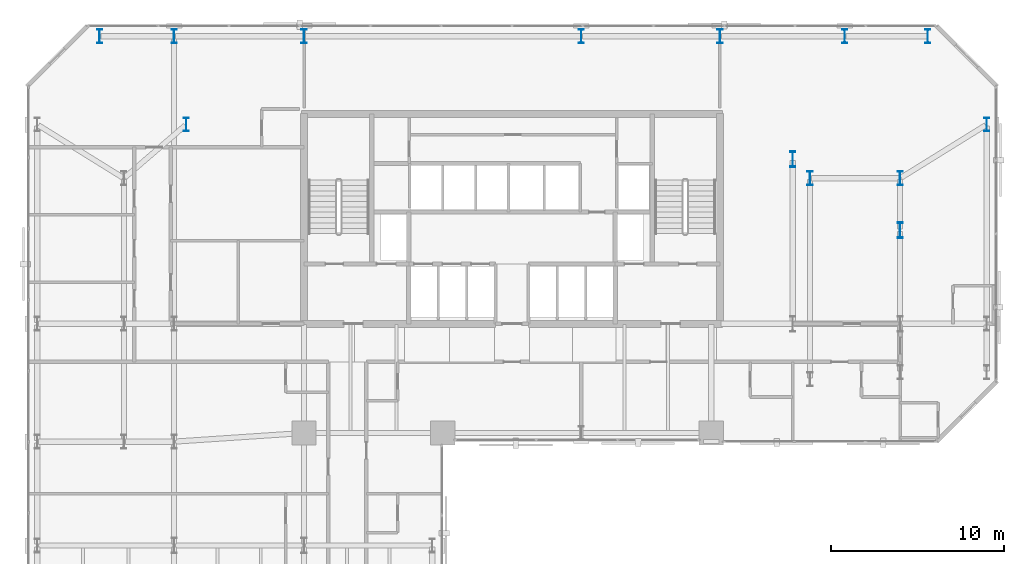
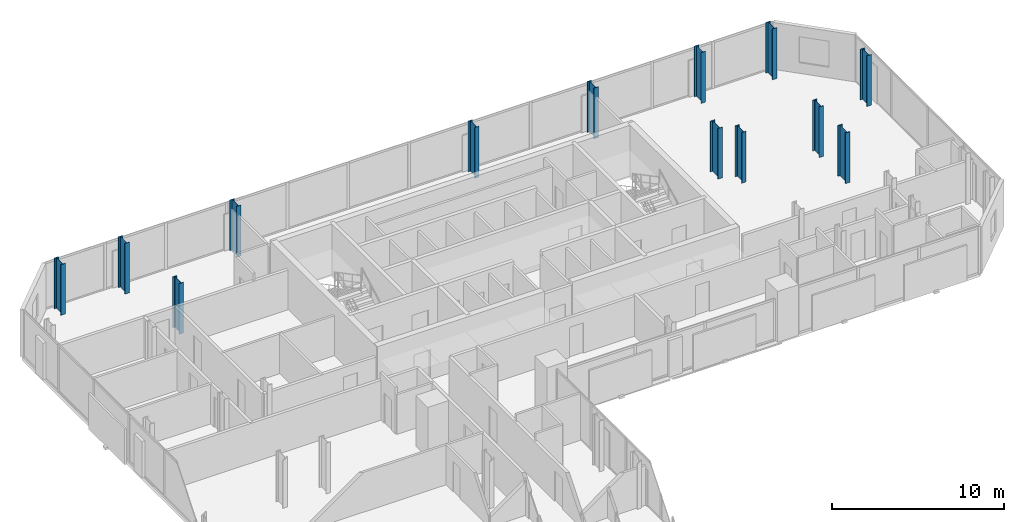
# One storey, part 2 of 33: 13 columns.
"""IFC4 building model written with IfcOpenShell, lengths in metres."""

import ifcopenshell
import ifcopenshell.guid

model = None  # the IFC model being written
_history = None  # IfcOwnerHistory: only IFC2X3 demands one
_inside = {}  # id of a spatial element -> (the spatial element, [elements in it])
_under = {}  # id of a project, library or spatial element -> (it, [spatial elements below it])
_declared = {}  # id of a project -> (the project, [libraries it declares])
_typed = {}  # id of a type object -> (the type object, [elements of that type])
_made_of = {}  # id of a material, layer set ... -> (it, [elements and type objects made of it])


def new_model(schema):
    """Start an empty IFC model of exactly this schema.

    Asked for "IFC4X3", IfcOpenShell would pick the latest addendum, in which some entities
    have other attributes; the version numbers below select the first issue.
    IFC2X3 requires an IfcOwnerHistory on every rooted entity: one is made here for all.
    """
    global model, _history
    if schema == "IFC4X3":
        model = ifcopenshell.file(schema_version=(4, 3, 0, 0))
    else:
        model = ifcopenshell.file(schema=schema)
    _inside.clear()
    _under.clear()
    _declared.clear()
    _typed.clear()
    _made_of.clear()
    _history = None
    if model.schema == "IFC2X3":
        org = make("IfcOrganization", Name="unknown")
        user = make(
            "IfcPersonAndOrganization",
            ThePerson=make("IfcPerson", FamilyName="unknown"),
            TheOrganization=org,
        )
        app = make(
            "IfcApplication",
            ApplicationDeveloper=org,
            Version="unknown",
            ApplicationFullName="unknown",
            ApplicationIdentifier="unknown",
        )
        _history = make(
            "IfcOwnerHistory",
            OwningUser=user,
            OwningApplication=app,
            ChangeAction="ADDED",
            CreationDate=0,
        )
    return model


def make(cls, **values):
    """One entity of the class cls with the attributes given. An attribute that is None is left unset."""
    return model.create_entity(
        cls, **{name: value for name, value in values.items() if value is not None}
    )


def rooted(cls, **values):
    """An entity with a GlobalId (a new one), such as an element, a storey or a relation."""
    return make(cls, GlobalId=ifcopenshell.guid.new(), OwnerHistory=_history, **values)


def si_unit(unit_type, name, prefix=None):
    """IfcSIUnit, for example si_unit("LENGTHUNIT", "METRE", prefix="MILLI")."""
    return make("IfcSIUnit", UnitType=unit_type, Prefix=prefix, Name=name)


def assignment(units):
    """IfcUnitAssignment: the units of a project."""
    return None if units is None else make("IfcUnitAssignment", Units=units)


def point(xyz):
    """IfcCartesianPoint."""
    return None if xyz is None else make("IfcCartesianPoint", Coordinates=xyz)


def direction(xyz):
    """IfcDirection."""
    return None if xyz is None else make("IfcDirection", DirectionRatios=xyz)


def frame(location, z_axis=None, x_axis=None):
    """IfcAxis2Placement3D, a coordinate frame: its origin and axes. An axis left out is left unset."""
    return make(
        "IfcAxis2Placement3D",
        Location=point(location),
        Axis=direction(z_axis),
        RefDirection=direction(x_axis),
    )


def frame_2d(location, x_axis=None):
    """IfcAxis2Placement2D, a coordinate frame in the plane: its origin and x axis."""
    return make(
        "IfcAxis2Placement2D", Location=point(location), RefDirection=direction(x_axis)
    )


def origin():
    """The frame at (0, 0, 0) with its axes left unset."""
    return frame((0.0, 0.0, 0.0))


def origin_2d():
    """The frame at (0, 0) in the plane with its x axis left unset."""
    return frame_2d((0.0, 0.0))


def place(relative_to, where):
    """IfcLocalPlacement: puts the frame where relative to a parent placement (None: the world)."""
    return make(
        "IfcLocalPlacement", PlacementRelTo=relative_to, RelativePlacement=where
    )


def context(
    kind, dimensions, precision=None, world=None, true_north=None, identifier=None
):
    """IfcGeometricRepresentationContext, for example the 3D "Model" context."""
    return make(
        "IfcGeometricRepresentationContext",
        ContextIdentifier=identifier,
        ContextType=kind,
        CoordinateSpaceDimension=dimensions,
        Precision=precision,
        WorldCoordinateSystem=world,
        TrueNorth=true_north,
    )


def subcontext(parent, identifier, kind, view, scale=None):
    """IfcGeometricRepresentationSubContext, for example "Body" below "Model"."""
    return make(
        "IfcGeometricRepresentationSubContext",
        ContextIdentifier=identifier,
        ContextType=kind,
        ParentContext=parent,
        TargetScale=scale,
        TargetView=view,
    )


def project(units=None, contexts=None):
    """IfcProject with its units and contexts."""
    return rooted(
        "IfcProject",
        Name="project",
        RepresentationContexts=contexts,
        UnitsInContext=assignment(units),
    )


def spatial(cls, under=None, at=None, **own):
    """A site, building, storey or space (cls), placed at a placement, below another one or the project."""
    s = rooted(cls, ObjectPlacement=at, **own)
    if under is not None:
        _under.setdefault(under.id(), (under, []))[1].append(s)
    return s


def profile(cls, at=None, kind="AREA", **sizes):
    """A parametric profile (cls). Its sizes go by their IFC names, for example OverallWidth=200.0."""
    return make(cls, ProfileType=kind, Position=at, **sizes)


def i_section(**sizes):
    """IfcIShapeProfileDef."""
    return profile("IfcIShapeProfileDef", **sizes)


def extrude(swept, where, along, depth):
    """IfcExtrudedAreaSolid: the profile swept, set in the frame where, extruded along a direction by depth."""
    return make(
        "IfcExtrudedAreaSolid",
        SweptArea=swept,
        Position=where,
        ExtrudedDirection=direction(along),
        Depth=depth,
    )


def shape(context_of_items, identifier, shape_type, items):
    """IfcShapeRepresentation: the items that make up one representation, for example the "Body"."""
    return make(
        "IfcShapeRepresentation",
        ContextOfItems=context_of_items,
        RepresentationIdentifier=identifier,
        RepresentationType=shape_type,
        Items=items,
    )


def material(Name=None, Category=None):
    """IfcMaterial."""
    return make("IfcMaterial", Name=Name, Category=Category)


def material_profile(
    of_material, cross_section, Name=None, Category=None, Priority=None
):
    """IfcMaterialProfile: a cross section and its material."""
    return make(
        "IfcMaterialProfile",
        Name=Name,
        Material=of_material,
        Profile=cross_section,
        Priority=Priority,
        Category=Category,
    )


def profile_set(profiles, Name=None, composite=None):
    """IfcMaterialProfileSet."""
    return make(
        "IfcMaterialProfileSet",
        Name=Name,
        MaterialProfiles=profiles,
        CompositeProfile=composite,
    )


def made_of(thing, what):
    """Note that an element or type object is made of a material, layer set ...; save() writes the relation."""
    if what is not None:
        _made_of.setdefault(what.id(), (what, []))[1].append(thing)
    return thing


def type_object(cls, material=None, **own):
    """A type object (cls), such as IfcWallType, which elements share."""
    return made_of(rooted(cls, **own), material)


def element(
    cls,
    number,
    at=None,
    inside=None,
    cuts=None,
    type_object=None,
    material=None,
    context=None,
    identifier="Body",
    shape_type=None,
    held_by="IfcProductDefinitionShape",
    body=None,
    shapes=None,
    **own,
):
    """One element of the class cls, such as IfcWall. Its Tag is "e" and its number.

    at: its placement. inside: the storey or other place that contains it. cuts: it is an
    opening in that element (IfcRelVoidsElement). A single representation is given by context,
    identifier, shape_type and body (its items); several are given by shapes. held_by: the class
    of the entity that holds the representations. save() writes the other relations.
    """
    e = rooted(cls, Tag="e%d" % number, ObjectPlacement=at, **own)
    if body is not None:
        shapes = [shape(context, identifier, shape_type, body)]
    if shapes is not None:
        e.Representation = make(held_by, Representations=shapes)
    if inside is not None:
        _inside.setdefault(inside.id(), (inside, []))[1].append(e)
    if cuts is not None:
        rooted(
            "IfcRelVoidsElement", RelatingBuildingElement=cuts, RelatedOpeningElement=e
        )
    if type_object is not None:
        _typed.setdefault(type_object.id(), (type_object, []))[1].append(e)
    return made_of(e, material)


def aggregate(whole, parts):
    """IfcRelAggregates: a whole, such as a stair, and the parts it consists of."""
    return rooted("IfcRelAggregates", RelatingObject=whole, RelatedObjects=parts)


def save(model, path):
    """Write the relations noted so far, then the file.

    IfcRelAggregates (storeys below a building ...), IfcRelContainedInSpatialStructure (elements
    in a storey), IfcRelDefinesByType, IfcRelAssociatesMaterial and IfcRelDeclares: one each for
    every whole, place, type object, material and project.
    """
    for whole, parts in _under.values():
        aggregate(whole, parts)
    for where, things in _inside.values():
        rooted(
            "IfcRelContainedInSpatialStructure",
            RelatedElements=things,
            RelatingStructure=where,
        )
    for kind, things in _typed.values():
        rooted("IfcRelDefinesByType", RelatedObjects=things, RelatingType=kind)
    for what, things in _made_of.values():
        rooted("IfcRelAssociatesMaterial", RelatedObjects=things, RelatingMaterial=what)
    for by, libraries in _declared.values():
        rooted("IfcRelDeclares", RelatingContext=by, RelatedDefinitions=libraries)
    model.write(path)


model = new_model("IFC4")

# Units and contexts
model_context = context("Model", 3, precision=1e-05, world=origin(), true_north=direction((0.0, 1.0)))
body_context = subcontext(model_context, "Body", "Model", "MODEL_VIEW")
ifc_project = project(units=[si_unit("LENGTHUNIT", "METRE"), si_unit("AREAUNIT", "SQUARE_METRE"), si_unit("VOLUMEUNIT", "CUBIC_METRE"), si_unit("PLANEANGLEUNIT", "RADIAN"), si_unit("MASSUNIT", "GRAM", prefix="KILO")], contexts=[model_context])

# Site, building, storey
site_placement = place(None, origin())
site = spatial("IfcSite", under=ifc_project, at=site_placement, CompositionType="ELEMENT")
building_placement = place(site_placement, origin())
building = spatial("IfcBuilding", under=site, at=building_placement, Name="Catumbela Crestline Tower", CompositionType="ELEMENT")
storey_placement = place(building_placement, frame((0.0, 0.0, 43.8)))
storey = spatial("IfcBuildingStorey", under=building, at=storey_placement, Name="L10", CompositionType="ELEMENT", Elevation=43.8)

# Columns
ifc_material = material(Name="Structural steel S460M", Category="steel")
ifc_material_profile_1 = material_profile(ifc_material, i_section(OverallWidth=0.3, OverallDepth=0.8, WebThickness=0.0175, FlangeThickness=0.033, FilletRadius=0.03, at=origin_2d()), Name="HEB 800")
ifc_profile_set_1 = profile_set([ifc_material_profile_1], Name="Structural steel S460M")
column_type_1 = type_object("IfcColumnType", Name="C-ST-HEB800", PredefinedType="COLUMN", material=ifc_profile_set_1)
for number, where, z_axis, x_axis, name in (
    (1, (9.2, 42.3, 0.0), (0.0, 0.0, 1.0), (1.0, 0.0, 0.0), "L10 Column C-08-43 (HEB 800)"),
    (2, (45.2, 39.2, 0.0), (0.0, 0.0, 1.0), (1.0, 0.0, 0.0), "L10 Column C-46-43 (HEB 800)"),
    (3, (4.2, 47.4, 0.0), (0.0, 0.0, 1.0), (1.0, 0.0, 0.0), "L10 Column C-00-48 (HEB 800)"),
    (4, (8.5, 47.4, 0.0), (0.0, 0.0, 1.0), (1.0, 0.0, 0.0), "L10 Column C-08-48 (HEB 800)"),
    (5, (16.0, 47.4, 0.0), (0.0, 0.0, 1.0), (1.0, 0.0, 0.0), "L10 Column C-16-48 (HEB 800)"),
    (6, (32.0, 47.4, 0.0), (0.0, 0.0, 1.0), (1.0, 0.0, 0.0), "L10 Column C-32-48 (HEB 800)"),
    (7, (40.0, 47.4, 0.0), (0.0, 0.0, 1.0), (1.0, 0.0, 0.0), "L10 Column C-40-48 (HEB 800)"),
    (8, (47.2, 47.4, 0.0), (0.0, 0.0, 1.0), (1.0, 0.0, 0.0), "L10 Column C-48-48 (HEB 800)"),
    (9, (50.4, 39.2, 0.0), (0.0, 0.0, 1.0), (1.0, 0.0, 0.0), "L10 Column C-51-43 (HEB 800)"),
    (10, (55.4, 42.3, 0.0), (0.0, 0.0, 1.0), (1.0, 0.0, 0.0), "L10 Column C-56-43 (HEB 800)"),
    (11, (52.0, 47.4, 0.0), (0.0, 0.0, 1.0), (1.0, 0.0, 0.0), "L10 Column C-56-48 (HEB 800)"),
):
    element("IfcColumn", number, at=place(storey_placement, frame(where, z_axis=z_axis, x_axis=x_axis)), inside=storey, type_object=column_type_1, Name=name, PredefinedType="COLUMN", context=body_context, shape_type="SweptSolid", body=[
        extrude(i_section(OverallWidth=0.3, OverallDepth=0.8, WebThickness=0.0175, FlangeThickness=0.033, FilletRadius=0.03, at=origin_2d()), origin(), (0.0, 0.0, 1.0), 3.6),
    ])
ifc_material_profile_2 = material_profile(ifc_material, i_section(OverallWidth=0.3, OverallDepth=0.9, WebThickness=0.0185, FlangeThickness=0.035, FilletRadius=0.03, at=origin_2d()), Name="HEB 900")
ifc_profile_set_2 = profile_set([ifc_material_profile_2], Name="Structural steel S460M")
column_type_2 = type_object("IfcColumnType", Name="C-ST-HEB900", PredefinedType="COLUMN", material=ifc_profile_set_2)
for number, where, z_axis, x_axis, name in (
    (12, (44.2, 40.3, 0.0), (0.0, 0.0, 1.0), (1.0, 0.0, 0.0), "L10 Column CT-46-37 (HEB 900)"),
    (13, (50.4, 36.2, 0.0), (0.0, 0.0, 1.0), (1.0, 0.0, 0.0), "L10 Column CT-51-37 (HEB 900)"),
):
    element("IfcColumn", number, at=place(storey_placement, frame(where, z_axis=z_axis, x_axis=x_axis)), inside=storey, type_object=column_type_2, Name=name, PredefinedType="COLUMN", context=body_context, shape_type="SweptSolid", body=[
        extrude(i_section(OverallWidth=0.3, OverallDepth=0.9, WebThickness=0.0185, FlangeThickness=0.035, FilletRadius=0.03, at=origin_2d()), origin(), (0.0, 0.0, 1.0), 3.6),
    ])

save(model, "model.ifc")
